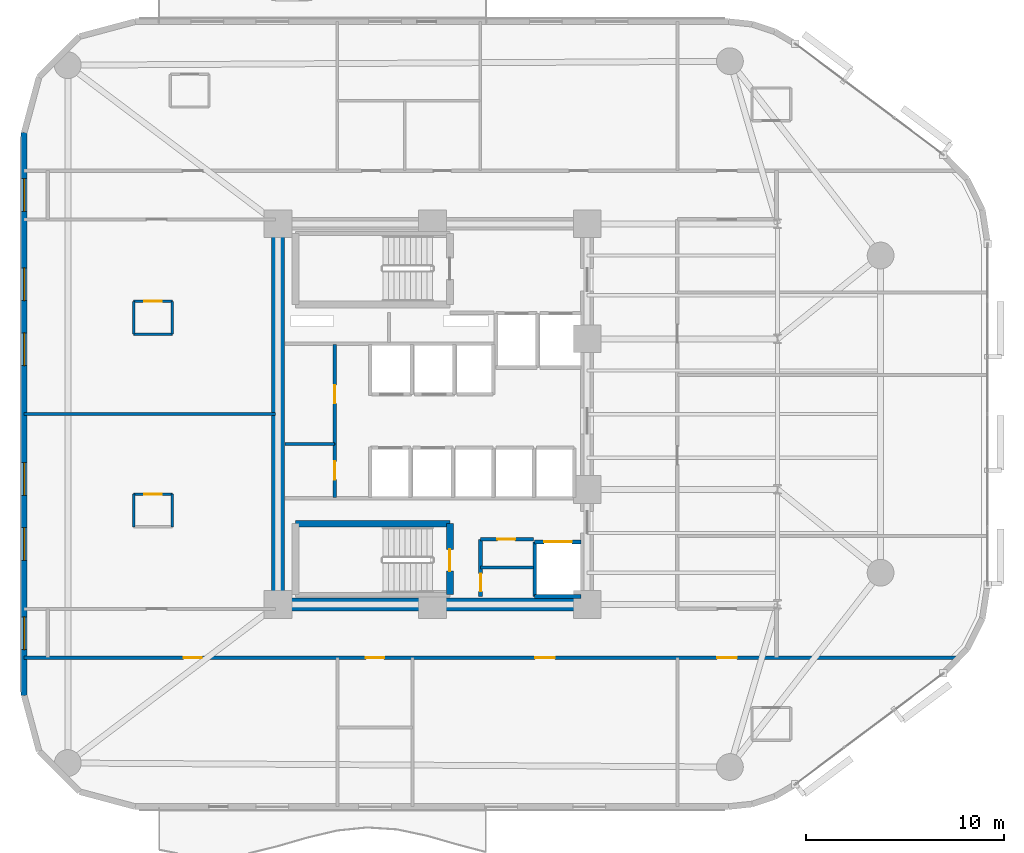
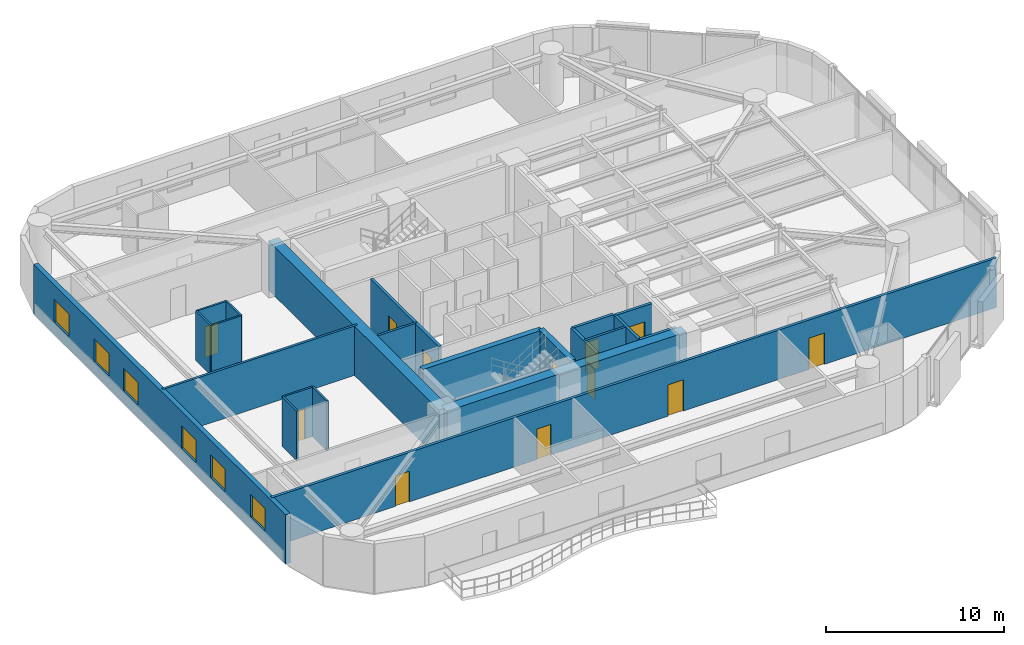
# One storey, part 10 of 15: 23 walls, 12 doors, 6 windows, 18 openings.
"""IFC4 building model written with IfcOpenShell, lengths in metres."""

from ifc_helpers import new_model, si_unit, direction, frame, frame_2d, origin, place, context, subcontext, project, spatial, rectangle, extrude, material, layer, layer_set, type_object, element, fill, save


model = new_model("IFC4")

# Units and contexts
model_context = context("Model", 3, precision=1e-05, world=origin(), true_north=direction((0.0, 1.0)))
body_context = subcontext(model_context, "Body", "Model", "MODEL_VIEW")
ifc_project = project(units=[si_unit("LENGTHUNIT", "METRE"), si_unit("AREAUNIT", "SQUARE_METRE"), si_unit("VOLUMEUNIT", "CUBIC_METRE"), si_unit("PLANEANGLEUNIT", "RADIAN"), si_unit("MASSUNIT", "GRAM", prefix="KILO")], contexts=[model_context])

# Site, building, storey
site_placement = place(None, origin())
site = spatial("IfcSite", under=ifc_project, at=site_placement, CompositionType="ELEMENT")
building_placement = place(site_placement, origin())
building = spatial("IfcBuilding", under=site, at=building_placement, Name="An Khanh Terracotta Commons", CompositionType="ELEMENT")
storey_placement = place(building_placement, frame((0.0, 0.0, 122.300048828125)))
storey = spatial("IfcBuildingStorey", under=building, at=storey_placement, Name="L32", CompositionType="ELEMENT", Elevation=122.300048828125)

# Walls
ifc_material_1 = material(Name="Concrete C60/75", Category="concrete")
ifc_layer_1 = layer(ifc_material_1, 0.64990234375, Name="Concrete C60/75")
ifc_layer_set_1 = layer_set([ifc_layer_1], Name="Concrete C60/75")
wall_type_1 = type_object("IfcWallType", Name="WALL-CORE-650", PredefinedType="SHEAR", material=ifc_layer_set_1)
wall_1_placement = place(storey_placement, frame((21.60009765625, 14.39990234375, 0.0), z_axis=(0.0, 0.0, 1.0), x_axis=(0.0, 1.0, 0.0)))
element("IfcWall", 1, at=wall_1_placement, inside=storey, type_object=wall_type_1, Name="L32 Core Wall CWALL-L32-W", PredefinedType="SHEAR", context=body_context, shape_type="SweptSolid", body=[
    extrude(rectangle(XDim=19.2001953125, YDim=0.64990234375, at=frame_2d((9.60009765625, 0.0))), origin(), (0.0, 0.0, 1.0), 3.39990234375),
])
wall_2_placement = place(storey_placement, frame((37.199951171875, 14.39990234375, 0.0), z_axis=(0.0, 0.0, 1.0), x_axis=(-1.0, 0.0, 0.0)))
element("IfcWall", 2, at=wall_2_placement, inside=storey, type_object=wall_type_1, Name="L32 Core Wall CWALL-L32-S", PredefinedType="SHEAR", context=body_context, shape_type="SweptSolid", body=[
    extrude(rectangle(XDim=15.599853515625, YDim=0.64990234375, at=frame_2d((7.7998046875, 0.0))), origin(), (0.0, 0.0, 1.0), 3.39990234375),
])

# Wall, opening, door
ifc_material_2 = material(Name="Fire-Rated Gypsum Board on Steel Stud", Category="steel")
ifc_layer_2 = layer(ifc_material_2, 0.179931640625, Name="Fire-Rated Gypsum Board on Steel Stud")
ifc_layer_set_2 = layer_set([ifc_layer_2], Name="Fire-Rated Gypsum Board on Steel Stud")
wall_type_2 = type_object("IfcWallType", Name="WALL-CORR-180", PredefinedType="PARTITIONING", material=ifc_layer_set_2)
wall_3_placement = place(storey_placement, frame((31.820068359375, 17.679931640625, 0.0), z_axis=(0.0, 0.0, 1.0), x_axis=(1.0, 0.0, 0.0)))
wall_3 = element("IfcWall", 3, at=wall_3_placement, inside=storey, type_object=wall_type_2, Name="L32 Core Wall SSVCW-L32-N", PredefinedType="PARTITIONING", context=body_context, shape_type="SweptSolid", body=[
    extrude(rectangle(XDim=2.659912109375, YDim=0.179931640625, at=frame_2d((1.330078125, 0.0))), origin(), (0.0, 0.0, 1.0), 3.39990234375),
])
opening_1_placement = place(wall_3_placement, frame((0.85009765625, 0.0, 0.0)))
opening_1 = element("IfcOpeningElement", 4, at=opening_1_placement, cuts=wall_3, Name="Opening D-SV", PredefinedType="OPENING", context=body_context, shape_type="SweptSolid", body=[
    extrude(rectangle(XDim=0.89990234375, YDim=2.050048828125, at=frame_2d((0.449951171875, 1.02490234375))), frame((0.0, 0.099853515625, 0.0), z_axis=(0.0, -1.0, 0.0), x_axis=(1.0, 0.0, 0.0)), (0.0, 0.0, 1.0), 0.199951171875),
])
ifc_material_3 = material(Name="Fire-Rated Powder-Coated Steel Door", Category="steel")
door_type_1 = type_object("IfcDoorType", Name="DOOR-SERV-900", OperationType="NOTDEFINED", PredefinedType="DOOR", material=ifc_material_3)
door_1_placement = place(opening_1_placement, origin())
door_1 = element("IfcDoor", 5, at=door_1_placement, inside=storey, type_object=door_type_1, Name="L32 Core Cleaner Store Door", OperationType="SINGLE_SWING_LEFT", OverallHeight=2.050048828125, OverallWidth=0.89990234375, PredefinedType="DOOR", context=body_context, shape_type="SweptSolid", body=[
    extrude(rectangle(XDim=0.89990234375, YDim=2.050048828125, at=frame_2d((0.449951171875, 1.02490234375))), frame((0.0, 0.02490234375, 0.0), z_axis=(0.0, -1.0, 0.0), x_axis=(1.0, 0.0, 0.0)), (0.0, 0.0, 1.0), 0.050048828125),
])
fill(opening_1, door_1)

wall_4_placement = place(storey_placement, frame((31.820068359375, 14.800048828125, 0.0), z_axis=(0.0, 0.0, 1.0), x_axis=(0.0, 1.0, 0.0)))
wall_4 = element("IfcWall", 6, at=wall_4_placement, inside=storey, type_object=wall_type_2, Name="L32 Core Wall SSVCW-L32-W", PredefinedType="PARTITIONING", context=body_context, shape_type="SweptSolid", body=[
    extrude(rectangle(XDim=2.8798828125, YDim=0.179931640625, at=frame_2d((1.43994140625, 0.0))), origin(), (0.0, 0.0, 1.0), 3.39990234375),
])
opening_2_placement = place(wall_4_placement, frame((0.260009765625, 0.0, 0.0)))
opening_2 = element("IfcOpeningElement", 7, at=opening_2_placement, cuts=wall_4, Name="Opening D-SV", PredefinedType="OPENING", context=body_context, shape_type="SweptSolid", body=[
    extrude(rectangle(XDim=0.89990234375, YDim=2.050048828125, at=frame_2d((0.449951171875, 1.02490234375))), frame((0.0, 0.099853515625, 0.0), z_axis=(0.0, -1.0, 0.0), x_axis=(1.0, 0.0, 0.0)), (0.0, 0.0, 1.0), 0.199951171875),
])
door_2_placement = place(opening_2_placement, origin())
door_2 = element("IfcDoor", 8, at=door_2_placement, inside=storey, type_object=door_type_1, Name="L32 Telecoms BMS Cupboard Door", OperationType="SINGLE_SWING_RIGHT", OverallHeight=2.050048828125, OverallWidth=0.89990234375, PredefinedType="DOOR", context=body_context, shape_type="SweptSolid", body=[
    extrude(rectangle(XDim=0.89990234375, YDim=2.050048828125, at=frame_2d((0.449951171875, 1.02490234375))), frame((0.0, 0.02490234375, 0.0), z_axis=(0.0, -1.0, 0.0), x_axis=(1.0, 0.0, 0.0)), (0.0, 0.0, 1.0), 0.050048828125),
])
fill(opening_2, door_2)

wall_5_placement = place(storey_placement, frame((34.550048828125, 17.550048828125, 0.0), z_axis=(0.0, 0.0, 1.0), x_axis=(1.0, 0.0, 0.0)))
wall_5 = element("IfcWall", 9, at=wall_5_placement, inside=storey, type_object=wall_type_2, Name="L32 Core Wall LSH-L32-SVL-01-N", PredefinedType="PARTITIONING", context=body_context, shape_type="SweptSolid", body=[
    extrude(rectangle(XDim=2.349853515625, YDim=0.179931640625, at=frame_2d((1.1748046875, 0.0))), origin(), (0.0, 0.0, 1.0), 3.39990234375),
])
opening_3_placement = place(wall_5_placement, frame((0.47509765625, 0.0, 0.0)))
opening_3 = element("IfcOpeningElement", 10, at=opening_3_placement, cuts=wall_5, Name="Opening LD-SVL-01-L32", PredefinedType="OPENING", context=body_context, shape_type="SweptSolid", body=[
    extrude(rectangle(XDim=1.39990234375, YDim=2.300048828125, at=frame_2d((0.699951171875, 1.14990234375))), frame((0.0, 0.099853515625, 0.0), z_axis=(0.0, -1.0, 0.0), x_axis=(1.0, 0.0, 0.0)), (0.0, 0.0, 1.0), 0.199951171875),
])
ifc_material_4 = material(Name="Heavy-Duty Stainless Steel Goods Landing Door", Category="steel")
door_type_2 = type_object("IfcDoorType", Name="DOOR-LD-SVL-1400", OperationType="NOTDEFINED", PredefinedType="DOOR", material=ifc_material_4)
door_3_placement = place(opening_3_placement, origin())
door_3 = element("IfcDoor", 11, at=door_3_placement, inside=storey, type_object=door_type_2, Name="L32 Lift SVL-01 Sliding Landing Door", OperationType="DOUBLE_DOOR_SLIDING", OverallHeight=2.300048828125, OverallWidth=1.39990234375, PredefinedType="DOOR", context=body_context, shape_type="SweptSolid", body=[
    extrude(rectangle(XDim=1.39990234375, YDim=2.300048828125, at=frame_2d((0.699951171875, 1.14990234375))), frame((0.0, 0.02490234375, 0.0), z_axis=(0.0, -1.0, 0.0), x_axis=(1.0, 0.0, 0.0)), (0.0, 0.0, 1.0), 0.050048828125),
])
fill(opening_3, door_3)

# Walls
wall_6_placement = place(storey_placement, frame((36.89990234375, 14.800048828125, 0.0), z_axis=(0.0, 0.0, 1.0), x_axis=(-1.0, 0.0, 0.0)))
element("IfcWall", 12, at=wall_6_placement, inside=storey, type_object=wall_type_2, Name="L32 Core Wall LSH-L32-SVL-01-S", PredefinedType="PARTITIONING", context=body_context, shape_type="SweptSolid", body=[
    extrude(rectangle(XDim=2.349853515625, YDim=0.179931640625, at=frame_2d((1.1748046875, 0.0))), origin(), (0.0, 0.0, 1.0), 3.39990234375),
])
wall_7_placement = place(storey_placement, frame((34.550048828125, 17.550048828125, 0.0), z_axis=(0.0, 0.0, 1.0), x_axis=(0.0, -1.0, 0.0)))
element("IfcWall", 13, at=wall_7_placement, inside=storey, type_object=wall_type_2, Name="L32 Core Wall LSH-L32-SVL-01-W", PredefinedType="PARTITIONING", context=body_context, shape_type="SweptSolid", body=[
    extrude(rectangle(XDim=2.75, YDim=0.179931640625, at=frame_2d((1.375, 0.0))), origin(), (0.0, 0.0, 1.0), 3.39990234375),
])

# Wall, opening, door
wall_8_placement = place(storey_placement, frame((24.4599609375, 22.5, 0.0), z_axis=(0.0, 0.0, 1.0), x_axis=(0.0, 1.0, 0.0)))
wall_8 = element("IfcWall", 14, at=wall_8_placement, inside=storey, type_object=wall_type_2, Name="L32 Core Wall RECW-L32-E1", PredefinedType="PARTITIONING", context=body_context, shape_type="SweptSolid", body=[
    extrude(rectangle(XDim=5.0, YDim=0.179931640625, at=frame_2d((2.5, 0.0))), origin(), (0.0, 0.0, 1.0), 3.39990234375),
])
opening_4_placement = place(wall_8_placement, frame((2.0400390625, 0.0, 0.0)))
opening_4 = element("IfcOpeningElement", 15, at=opening_4_placement, cuts=wall_8, Name="Opening D-RM", PredefinedType="OPENING", context=body_context, shape_type="SweptSolid", body=[
    extrude(rectangle(XDim=0.919921875, YDim=2.10009765625, at=frame_2d((0.4599609375, 1.050048828125))), frame((0.0, 0.099853515625, 0.0), z_axis=(0.0, -1.0, 0.0), x_axis=(1.0, 0.0, 0.0)), (0.0, 0.0, 1.0), 0.199951171875),
])
ifc_material_5 = material(Name="Engineered Hardwood Timber Leaf", Category="wood")
door_type_3 = type_object("IfcDoorType", Name="DOOR-INT-920", OperationType="NOTDEFINED", PredefinedType="DOOR", material=ifc_material_5)
door_4_placement = place(opening_4_placement, origin())
door_4 = element("IfcDoor", 16, at=door_4_placement, inside=storey, type_object=door_type_3, Name="L32 Resident Study Pod Door", OperationType="SINGLE_SWING_LEFT", OverallHeight=2.10009765625, OverallWidth=0.919921875, PredefinedType="DOOR", context=body_context, shape_type="SweptSolid", body=[
    extrude(rectangle(XDim=0.919921875, YDim=2.10009765625, at=frame_2d((0.4599609375, 1.050048828125))), frame((0.0, 0.02490234375, 0.0), z_axis=(0.0, -1.0, 0.0), x_axis=(1.0, 0.0, 0.0)), (0.0, 0.0, 1.0), 0.050048828125),
])
fill(opening_4, door_4)

wall_9_placement = place(storey_placement, frame((24.4599609375, 19.800048828125, 0.0), z_axis=(0.0, 0.0, 1.0), x_axis=(0.0, 1.0, 0.0)))
wall_9 = element("IfcWall", 17, at=wall_9_placement, inside=storey, type_object=wall_type_2, Name="L32 Core Wall RECW-L32-E2", PredefinedType="PARTITIONING", context=body_context, shape_type="SweptSolid", body=[
    extrude(rectangle(XDim=2.699951171875, YDim=0.179931640625, at=frame_2d((1.35009765625, 0.0))), origin(), (0.0, 0.0, 1.0), 3.39990234375),
])
opening_5_placement = place(wall_9_placement, frame((0.889892578125, 0.0, 0.0)))
opening_5 = element("IfcOpeningElement", 18, at=opening_5_placement, cuts=wall_9, Name="Opening D-RM", PredefinedType="OPENING", context=body_context, shape_type="SweptSolid", body=[
    extrude(rectangle(XDim=0.919921875, YDim=2.10009765625, at=frame_2d((0.4599609375, 1.050048828125))), frame((0.0, 0.099853515625, 0.0), z_axis=(0.0, -1.0, 0.0), x_axis=(1.0, 0.0, 0.0)), (0.0, 0.0, 1.0), 0.199951171875),
])
door_5_placement = place(opening_5_placement, origin())
door_5 = element("IfcDoor", 19, at=door_5_placement, inside=storey, type_object=door_type_3, Name="L32 Communal Laundry Room Door", OperationType="SINGLE_SWING_RIGHT", OverallHeight=2.10009765625, OverallWidth=0.919921875, PredefinedType="DOOR", context=body_context, shape_type="SweptSolid", body=[
    extrude(rectangle(XDim=0.919921875, YDim=2.10009765625, at=frame_2d((0.4599609375, 1.050048828125))), frame((0.0, 0.02490234375, 0.0), z_axis=(0.0, -1.0, 0.0), x_axis=(1.0, 0.0, 0.0)), (0.0, 0.0, 1.0), 0.050048828125),
])
fill(opening_5, door_5)

# Wall, openings, doors
wall_10_placement = place(storey_placement, frame((8.800048828125, 11.719970703125, 0.0), z_axis=(0.0, 0.0, 1.0), x_axis=(1.0, 0.0, 0.0)))
wall_10 = element("IfcWall", 20, at=wall_10_placement, inside=storey, type_object=wall_type_2, Name="L32 Interior Partition IW-L32-E002", PredefinedType="PARTITIONING", context=body_context, shape_type="SweptSolid", body=[
    extrude(rectangle(XDim=47.140869140625, YDim=0.179931640625, at=frame_2d((23.5703125, 0.0))), origin(), (0.0, 0.0, 1.0), 3.39990234375),
])
opening_6_placement = place(wall_10_placement, frame((17.239990234375, 0.0, 0.0)))
opening_6 = element("IfcOpeningElement", 21, at=opening_6_placement, cuts=wall_10, Name="Opening D-RM", PredefinedType="OPENING", context=body_context, shape_type="SweptSolid", body=[
    extrude(rectangle(XDim=0.919921875, YDim=2.10009765625, at=frame_2d((0.4599609375, 1.050048828125))), frame((0.0, 0.099853515625, 0.0), z_axis=(0.0, -1.0, 0.0), x_axis=(1.0, 0.0, 0.0)), (0.0, 0.0, 1.0), 0.199951171875),
])
opening_7_placement = place(wall_10_placement, frame((34.949951171875, 0.0, 0.0)))
opening_7 = element("IfcOpeningElement", 22, at=opening_7_placement, cuts=wall_10, Name="Opening D-UN", PredefinedType="OPENING", context=body_context, shape_type="SweptSolid", body=[
    extrude(rectangle(XDim=1.0, YDim=2.14990234375, at=frame_2d((0.5, 1.074951171875))), frame((0.0, 0.099853515625, 0.0), z_axis=(0.0, -1.0, 0.0), x_axis=(1.0, 0.0, 0.0)), (0.0, 0.0, 1.0), 0.199951171875),
])
opening_8_placement = place(wall_10_placement, frame((8.0400390625, 0.0, 0.0)))
opening_8 = element("IfcOpeningElement", 23, at=opening_8_placement, cuts=wall_10, Name="Opening D-RM", PredefinedType="OPENING", context=body_context, shape_type="SweptSolid", body=[
    extrude(rectangle(XDim=0.919921875, YDim=2.10009765625, at=frame_2d((0.4599609375, 1.050048828125))), frame((0.0, 0.099853515625, 0.0), z_axis=(0.0, -1.0, 0.0), x_axis=(1.0, 0.0, 0.0)), (0.0, 0.0, 1.0), 0.199951171875),
])
opening_9_placement = place(wall_10_placement, frame((25.77490234375, 0.0, 0.0)))
opening_9 = element("IfcOpeningElement", 24, at=opening_9_placement, cuts=wall_10, Name="Opening D-UN", PredefinedType="OPENING", context=body_context, shape_type="SweptSolid", body=[
    extrude(rectangle(XDim=1.0, YDim=2.14990234375, at=frame_2d((0.5, 1.074951171875))), frame((0.0, 0.099853515625, 0.0), z_axis=(0.0, -1.0, 0.0), x_axis=(1.0, 0.0, 0.0)), (0.0, 0.0, 1.0), 0.199951171875),
])
door_6_placement = place(opening_6_placement, origin())
door_6 = element("IfcDoor", 25, at=door_6_placement, inside=storey, type_object=door_type_3, Name="L32 HKP Housekeeping Linen Store Door", OperationType="SINGLE_SWING_RIGHT", OverallHeight=2.10009765625, OverallWidth=0.919921875, PredefinedType="DOOR", context=body_context, shape_type="SweptSolid", body=[
    extrude(rectangle(XDim=0.919921875, YDim=2.10009765625, at=frame_2d((0.4599609375, 1.050048828125))), frame((0.0, 0.02490234375, 0.0), z_axis=(0.0, -1.0, 0.0), x_axis=(1.0, 0.0, 0.0)), (0.0, 0.0, 1.0), 0.050048828125),
])
fill(opening_6, door_6)
door_7_placement = place(opening_8_placement, origin())
door_7 = element("IfcDoor", 26, at=door_7_placement, inside=storey, type_object=door_type_3, Name="L32 SW1 Music Practice Room Door", OperationType="SINGLE_SWING_LEFT", OverallHeight=2.10009765625, OverallWidth=0.919921875, PredefinedType="DOOR", context=body_context, shape_type="SweptSolid", body=[
    extrude(rectangle(XDim=0.919921875, YDim=2.10009765625, at=frame_2d((0.4599609375, 1.050048828125))), frame((0.0, 0.02490234375, 0.0), z_axis=(0.0, -1.0, 0.0), x_axis=(1.0, 0.0, 0.0)), (0.0, 0.0, 1.0), 0.050048828125),
])
fill(opening_8, door_7)
ifc_material_6 = material(Name="Solid-Core Hardwood Acoustic Fire Door", Category="wood")
door_type_4 = type_object("IfcDoorType", Name="DOOR-UNIT-1000", OperationType="NOTDEFINED", PredefinedType="DOOR", material=ifc_material_6)
door_8_placement = place(opening_7_placement, origin())
door_8 = element("IfcDoor", 27, at=door_8_placement, inside=storey, type_object=door_type_4, Name="L32 FANS Kitchenette and Studio Apartment Door", OperationType="SINGLE_SWING_RIGHT", OverallHeight=2.14990234375, OverallWidth=1.0, PredefinedType="DOOR", context=body_context, shape_type="SweptSolid", body=[
    extrude(rectangle(XDim=1.0, YDim=2.14990234375, at=frame_2d((0.5, 1.074951171875))), frame((0.0, 0.02490234375, 0.0), z_axis=(0.0, -1.0, 0.0), x_axis=(1.0, 0.0, 0.0)), (0.0, 0.0, 1.0), 0.050048828125),
])
fill(opening_7, door_8)
door_9_placement = place(opening_9_placement, origin())
door_9 = element("IfcDoor", 28, at=door_9_placement, inside=storey, type_object=door_type_4, Name="L32 SWE Yoga Studio Door", OperationType="SINGLE_SWING_RIGHT", OverallHeight=2.14990234375, OverallWidth=1.0, PredefinedType="DOOR", context=body_context, shape_type="SweptSolid", body=[
    extrude(rectangle(XDim=1.0, YDim=2.14990234375, at=frame_2d((0.5, 1.074951171875))), frame((0.0, 0.02490234375, 0.0), z_axis=(0.0, -1.0, 0.0), x_axis=(1.0, 0.0, 0.0)), (0.0, 0.0, 1.0), 0.050048828125),
])
fill(opening_9, door_9)

# Wall, openings, windows
ifc_material_7 = material(Name="Precast concrete C40/50", Category="concrete")
ifc_layer_3 = layer(ifc_material_7, 0.300048828125, Name="Precast concrete C40/50")
ifc_layer_set_3 = layer_set([ifc_layer_3], Name="Precast concrete C40/50")
wall_type_3 = type_object("IfcWallType", Name="WALL-EXT-300", PredefinedType="SOLIDWALL", material=ifc_layer_set_3)
wall_11_placement = place(storey_placement, frame((8.800048828125, 38.199951171875, 0.0), z_axis=(0.0, 0.0, 1.0), x_axis=(0.0, -1.0, 0.0)))
wall_11 = element("IfcWall", 29, at=wall_11_placement, inside=storey, type_object=wall_type_3, Name="L32 Insulated Terracotta Exterior Wall 24", PredefinedType="SOLIDWALL", context=body_context, shape_type="SweptSolid", body=[
    extrude(rectangle(XDim=28.39990234375, YDim=0.300048828125, at=frame_2d((14.199951171875, 0.0))), origin(), (0.0, 0.0, 1.0), 3.39990234375),
])
opening_10_placement = place(wall_11_placement, frame((2.324951171875, 0.0, 0.85009765625)))
opening_10 = element("IfcOpeningElement", 30, at=opening_10_placement, cuts=wall_11, Name="Opening W-02", PredefinedType="OPENING", context=body_context, shape_type="SweptSolid", body=[
    extrude(rectangle(XDim=1.64990234375, YDim=1.550048828125, at=frame_2d((0.824951171875, 0.77490234375))), frame((0.0, 0.159912109375, 0.0), z_axis=(0.0, -1.0, 0.0), x_axis=(1.0, 0.0, 0.0)), (0.0, 0.0, 1.0), 0.320068359375),
])
opening_11_placement = place(wall_11_placement, frame((6.827880859375, 0.0, 0.85009765625)))
opening_11 = element("IfcOpeningElement", 31, at=opening_11_placement, cuts=wall_11, Name="Opening W-02", PredefinedType="OPENING", context=body_context, shape_type="SweptSolid", body=[
    extrude(rectangle(XDim=1.64990234375, YDim=1.550048828125, at=frame_2d((0.824951171875, 0.77490234375))), frame((0.0, 0.159912109375, 0.0), z_axis=(0.0, -1.0, 0.0), x_axis=(1.0, 0.0, 0.0)), (0.0, 0.0, 1.0), 0.320068359375),
])
opening_12_placement = place(wall_11_placement, frame((10.10205078125, 0.0, 0.85009765625)))
opening_12 = element("IfcOpeningElement", 32, at=opening_12_placement, cuts=wall_11, Name="Opening W-02", PredefinedType="OPENING", context=body_context, shape_type="SweptSolid", body=[
    extrude(rectangle(XDim=1.64990234375, YDim=1.550048828125, at=frame_2d((0.824951171875, 0.77490234375))), frame((0.0, 0.159912109375, 0.0), z_axis=(0.0, -1.0, 0.0), x_axis=(1.0, 0.0, 0.0)), (0.0, 0.0, 1.0), 0.320068359375),
])
opening_13_placement = place(wall_11_placement, frame((16.64794921875, 0.0, 0.85009765625)))
opening_13 = element("IfcOpeningElement", 33, at=opening_13_placement, cuts=wall_11, Name="Opening W-02", PredefinedType="OPENING", context=body_context, shape_type="SweptSolid", body=[
    extrude(rectangle(XDim=1.64990234375, YDim=1.550048828125, at=frame_2d((0.824951171875, 0.77490234375))), frame((0.0, 0.159912109375, 0.0), z_axis=(0.0, -1.0, 0.0), x_axis=(1.0, 0.0, 0.0)), (0.0, 0.0, 1.0), 0.320068359375),
])
opening_14_placement = place(wall_11_placement, frame((19.922119140625, 0.0, 0.85009765625)))
opening_14 = element("IfcOpeningElement", 34, at=opening_14_placement, cuts=wall_11, Name="Opening W-02", PredefinedType="OPENING", context=body_context, shape_type="SweptSolid", body=[
    extrude(rectangle(XDim=1.64990234375, YDim=1.550048828125, at=frame_2d((0.824951171875, 0.77490234375))), frame((0.0, 0.159912109375, 0.0), z_axis=(0.0, -1.0, 0.0), x_axis=(1.0, 0.0, 0.0)), (0.0, 0.0, 1.0), 0.320068359375),
])
opening_15_placement = place(wall_11_placement, frame((24.425048828125, 0.0, 0.85009765625)))
opening_15 = element("IfcOpeningElement", 35, at=opening_15_placement, cuts=wall_11, Name="Opening W-02", PredefinedType="OPENING", context=body_context, shape_type="SweptSolid", body=[
    extrude(rectangle(XDim=1.64990234375, YDim=1.550048828125, at=frame_2d((0.824951171875, 0.77490234375))), frame((0.0, 0.159912109375, 0.0), z_axis=(0.0, -1.0, 0.0), x_axis=(1.0, 0.0, 0.0)), (0.0, 0.0, 1.0), 0.320068359375),
])
ifc_material_8 = material(Name="Thermally Broken Aluminium and Low-E Glass", Category="aluminium")
window_type = type_object("IfcWindowType", Name="WIN-Z2-1650x1550", PartitioningType="DOUBLE_PANEL_VERTICAL", PredefinedType="WINDOW", material=ifc_material_8)
window_1_placement = place(opening_10_placement, origin())
window_1 = element("IfcWindow", 36, at=window_1_placement, inside=storey, type_object=window_type, Name="L32 Operable Casement Window 24.1", OverallHeight=1.550048828125, OverallWidth=1.64990234375, PartitioningType="DOUBLE_PANEL_VERTICAL", PredefinedType="WINDOW", context=body_context, shape_type="SweptSolid", body=[
    extrude(rectangle(XDim=1.64990234375, YDim=1.550048828125, at=frame_2d((0.824951171875, 0.77490234375))), frame((0.0, 0.030029296875, 0.0), z_axis=(0.0, -1.0, 0.0), x_axis=(1.0, 0.0, 0.0)), (0.0, 0.0, 1.0), 0.06005859375),
])
fill(opening_10, window_1)
window_2_placement = place(opening_11_placement, origin())
window_2 = element("IfcWindow", 37, at=window_2_placement, inside=storey, type_object=window_type, Name="L32 Operable Casement Window 24.2", OverallHeight=1.550048828125, OverallWidth=1.64990234375, PartitioningType="DOUBLE_PANEL_VERTICAL", PredefinedType="WINDOW", context=body_context, shape_type="SweptSolid", body=[
    extrude(rectangle(XDim=1.64990234375, YDim=1.550048828125, at=frame_2d((0.824951171875, 0.77490234375))), frame((0.0, 0.030029296875, 0.0), z_axis=(0.0, -1.0, 0.0), x_axis=(1.0, 0.0, 0.0)), (0.0, 0.0, 1.0), 0.06005859375),
])
fill(opening_11, window_2)
window_3_placement = place(opening_12_placement, origin())
window_3 = element("IfcWindow", 38, at=window_3_placement, inside=storey, type_object=window_type, Name="L32 Operable Casement Window 24.3", OverallHeight=1.550048828125, OverallWidth=1.64990234375, PartitioningType="DOUBLE_PANEL_VERTICAL", PredefinedType="WINDOW", context=body_context, shape_type="SweptSolid", body=[
    extrude(rectangle(XDim=1.64990234375, YDim=1.550048828125, at=frame_2d((0.824951171875, 0.77490234375))), frame((0.0, 0.030029296875, 0.0), z_axis=(0.0, -1.0, 0.0), x_axis=(1.0, 0.0, 0.0)), (0.0, 0.0, 1.0), 0.06005859375),
])
fill(opening_12, window_3)
window_4_placement = place(opening_13_placement, origin())
window_4 = element("IfcWindow", 39, at=window_4_placement, inside=storey, type_object=window_type, Name="L32 Operable Casement Window 24.4", OverallHeight=1.550048828125, OverallWidth=1.64990234375, PartitioningType="DOUBLE_PANEL_VERTICAL", PredefinedType="WINDOW", context=body_context, shape_type="SweptSolid", body=[
    extrude(rectangle(XDim=1.64990234375, YDim=1.550048828125, at=frame_2d((0.824951171875, 0.77490234375))), frame((0.0, 0.030029296875, 0.0), z_axis=(0.0, -1.0, 0.0), x_axis=(1.0, 0.0, 0.0)), (0.0, 0.0, 1.0), 0.06005859375),
])
fill(opening_13, window_4)
window_5_placement = place(opening_14_placement, origin())
window_5 = element("IfcWindow", 40, at=window_5_placement, inside=storey, type_object=window_type, Name="L32 Operable Casement Window 24.5", OverallHeight=1.550048828125, OverallWidth=1.64990234375, PartitioningType="DOUBLE_PANEL_VERTICAL", PredefinedType="WINDOW", context=body_context, shape_type="SweptSolid", body=[
    extrude(rectangle(XDim=1.64990234375, YDim=1.550048828125, at=frame_2d((0.824951171875, 0.77490234375))), frame((0.0, 0.030029296875, 0.0), z_axis=(0.0, -1.0, 0.0), x_axis=(1.0, 0.0, 0.0)), (0.0, 0.0, 1.0), 0.06005859375),
])
fill(opening_14, window_5)
window_6_placement = place(opening_15_placement, origin())
window_6 = element("IfcWindow", 41, at=window_6_placement, inside=storey, type_object=window_type, Name="L32 Operable Casement Window 24.6", OverallHeight=1.550048828125, OverallWidth=1.64990234375, PartitioningType="DOUBLE_PANEL_VERTICAL", PredefinedType="WINDOW", context=body_context, shape_type="SweptSolid", body=[
    extrude(rectangle(XDim=1.64990234375, YDim=1.550048828125, at=frame_2d((0.824951171875, 0.77490234375))), frame((0.0, 0.030029296875, 0.0), z_axis=(0.0, -1.0, 0.0), x_axis=(1.0, 0.0, 0.0)), (0.0, 0.0, 1.0), 0.06005859375),
])
fill(opening_15, window_6)

# Walls
ifc_material_9 = material(Name="Acoustic Gypsum Board Partition")
ifc_layer_4 = layer(ifc_material_9, 0.14990234375, Name="Acoustic Gypsum Board Partition")
ifc_layer_set_4 = layer_set([ifc_layer_4], Name="Acoustic Gypsum Board Partition")
wall_type_4 = type_object("IfcWallType", Name="WALL-PART-150", PredefinedType="PARTITIONING", material=ifc_layer_set_4)
wall_12_placement = place(storey_placement, frame((31.820068359375, 16.260009765625, 0.0), z_axis=(0.0, 0.0, 1.0), x_axis=(1.0, 0.0, 0.0)))
element("IfcWall", 42, at=wall_12_placement, inside=storey, type_object=wall_type_4, Name="L32 Core Wall SSVCW-L32-M", PredefinedType="PARTITIONING", context=body_context, shape_type="SweptSolid", body=[
    extrude(rectangle(XDim=2.659912109375, YDim=0.14990234375, at=frame_2d((1.330078125, 0.0))), origin(), (0.0, 0.0, 1.0), 3.39990234375),
])
wall_13_placement = place(storey_placement, frame((21.949951171875, 22.5, 0.0), z_axis=(0.0, 0.0, 1.0), x_axis=(1.0, 0.0, 0.0)))
element("IfcWall", 43, at=wall_13_placement, inside=storey, type_object=wall_type_4, Name="L32 Core Wall RECW-L32-M", PredefinedType="PARTITIONING", context=body_context, shape_type="SweptSolid", body=[
    extrude(rectangle(XDim=2.510009765625, YDim=0.14990234375, at=frame_2d((1.2548828125, 0.0))), origin(), (0.0, 0.0, 1.0), 3.39990234375),
])
wall_14_placement = place(storey_placement, frame((8.800048828125, 24.0, 0.0), z_axis=(0.0, 0.0, 1.0), x_axis=(1.0, 0.0, 0.0)))
element("IfcWall", 44, at=wall_14_placement, inside=storey, type_object=wall_type_4, Name="L32 Interior Partition IW-L32-E006", PredefinedType="PARTITIONING", context=body_context, shape_type="SweptSolid", body=[
    extrude(rectangle(XDim=12.679931640625, YDim=0.14990234375, at=frame_2d((6.33984375, 0.0))), origin(), (0.0, 0.0, 1.0), 3.39990234375),
])
ifc_material_10 = material(Name="Concrete C50/60", Category="concrete")
ifc_layer_5 = layer(ifc_material_10, 0.35009765625, Name="Concrete C50/60")
ifc_layer_set_5 = layer_set([ifc_layer_5], Name="Concrete C50/60")
wall_type_5 = type_object("IfcWallType", Name="WALL-SHAFT-350", PredefinedType="SOLIDWALL", material=ifc_layer_set_5)
wall_15_placement = place(storey_placement, frame((22.47998046875, 18.469970703125, 0.0), z_axis=(0.0, 0.0, 1.0), x_axis=(1.0, 0.0, 0.0)))
element("IfcWall", 45, at=wall_15_placement, inside=storey, type_object=wall_type_5, Name="L32 Core Wall STW-L32-S-N", PredefinedType="SOLIDWALL", context=body_context, shape_type="SweptSolid", body=[
    extrude(rectangle(XDim=7.7900390625, YDim=0.35009765625, at=frame_2d((3.89501953125, 0.0))), origin(), (0.0, 0.0, 1.0), 3.39990234375),
])

# Wall, opening, door
wall_16_placement = place(storey_placement, frame((30.27001953125, 14.889892578125, 0.0), z_axis=(0.0, 0.0, 1.0), x_axis=(0.0, 1.0, 0.0)))
wall_16 = element("IfcWall", 46, at=wall_16_placement, inside=storey, type_object=wall_type_5, Name="L32 Core Wall STW-L32-S-E", PredefinedType="SOLIDWALL", context=body_context, shape_type="SweptSolid", body=[
    extrude(rectangle(XDim=3.580078125, YDim=0.35009765625, at=frame_2d((1.7900390625, 0.0))), origin(), (0.0, 0.0, 1.0), 3.39990234375),
])
opening_16_placement = place(wall_16_placement, frame((1.18994140625, 0.0, 0.0)))
opening_16 = element("IfcOpeningElement", 47, at=opening_16_placement, cuts=wall_16, Name="Opening D-ST", PredefinedType="OPENING", context=body_context, shape_type="SweptSolid", body=[
    extrude(rectangle(XDim=1.10009765625, YDim=2.14990234375, at=frame_2d((0.550048828125, 1.074951171875))), frame((0.0, 0.18505859375, 0.0), z_axis=(0.0, -1.0, 0.0), x_axis=(1.0, 0.0, 0.0)), (0.0, 0.0, 1.0), 0.3701171875),
])
ifc_material_11 = material(Name="Fire-Rated Steel Leaf and Frame", Category="steel")
door_type_5 = type_object("IfcDoorType", Name="DOOR-STAIR-1100", OperationType="NOTDEFINED", PredefinedType="DOOR", material=ifc_material_11)
door_10_placement = place(opening_16_placement, origin())
door_10 = element("IfcDoor", 48, at=door_10_placement, inside=storey, type_object=door_type_5, Name="L32 Stair ST-02 Fire Door", OperationType="SINGLE_SWING_RIGHT", OverallHeight=2.14990234375, OverallWidth=1.10009765625, PredefinedType="DOOR", context=body_context, shape_type="SweptSolid", body=[
    extrude(rectangle(XDim=1.10009765625, YDim=2.14990234375, at=frame_2d((0.550048828125, 1.074951171875))), frame((0.0, 0.02490234375, 0.0), z_axis=(0.0, -1.0, 0.0), x_axis=(1.0, 0.0, 0.0)), (0.0, 0.0, 1.0), 0.050048828125),
])
fill(opening_16, door_10)

ifc_material_12 = material(Name="Moisture-Resistant Cement Board Partition")
ifc_layer_6 = layer(ifc_material_12, 0.1201171875, Name="Moisture-Resistant Cement Board Partition")
ifc_layer_set_6 = layer_set([ifc_layer_6], Name="Moisture-Resistant Cement Board Partition")
wall_type_6 = type_object("IfcWallType", Name="WALL-WET-120", PredefinedType="PARTITIONING", material=ifc_layer_set_6)
wall_17_placement = place(storey_placement, frame((14.324951171875, 19.965087890625, 0.0), z_axis=(0.0, 0.0, 1.0), x_axis=(1.0, 0.0, 0.0)))
wall_17 = element("IfcWall", 49, at=wall_17_placement, inside=storey, type_object=wall_type_6, Name="L32 Interior Partition IW-L32-WW1-BN", PredefinedType="PARTITIONING", context=body_context, shape_type="SweptSolid", body=[
    extrude(rectangle(XDim=1.949951171875, YDim=0.1201171875, at=frame_2d((0.97509765625, 0.0))), origin(), (0.0, 0.0, 1.0), 3.39990234375),
])
opening_17_placement = place(wall_17_placement, frame((0.544921875, 0.0, 0.0)))
opening_17 = element("IfcOpeningElement", 50, at=opening_17_placement, cuts=wall_17, Name="Opening D-ENS", PredefinedType="OPENING", context=body_context, shape_type="SweptSolid", body=[
    extrude(rectangle(XDim=0.860107421875, YDim=2.10009765625, at=frame_2d((0.43017578125, 1.050048828125))), frame((0.0, 0.070068359375, 0.0), z_axis=(0.0, -1.0, 0.0), x_axis=(1.0, 0.0, 0.0)), (0.0, 0.0, 1.0), 0.14013671875),
])
ifc_material_13 = material(Name="Moisture-Resistant Hardwood Timber Leaf", Category="wood")
door_type_6 = type_object("IfcDoorType", Name="DOOR-BATH-860", OperationType="NOTDEFINED", PredefinedType="DOOR", material=ifc_material_13)
door_11_placement = place(opening_17_placement, origin())
door_11 = element("IfcDoor", 51, at=door_11_placement, inside=storey, type_object=door_type_6, Name="L32 Studio WW1 En-suite Door", OperationType="SINGLE_SWING_RIGHT", OverallHeight=2.10009765625, OverallWidth=0.860107421875, PredefinedType="DOOR", context=body_context, shape_type="SweptSolid", body=[
    extrude(rectangle(XDim=0.860107421875, YDim=2.10009765625, at=frame_2d((0.43017578125, 1.050048828125))), frame((0.0, 0.02490234375, 0.0), z_axis=(0.0, -1.0, 0.0), x_axis=(1.0, 0.0, 0.0)), (0.0, 0.0, 1.0), 0.050048828125),
])
fill(opening_17, door_11)

# Walls
for number, where, z_axis, x_axis, name in (
    (52, (14.324951171875, 19.965087890625, 0.0), (0.0, 0.0, 1.0), (0.0, -1.0, 0.0), "L32 Interior Partition IW-L32-WW1-BW"),
    (53, (16.27490234375, 18.31494140625, 0.0), (0.0, 0.0, 1.0), (0.0, 1.0, 0.0), "L32 Interior Partition IW-L32-WW1-BE"),
):
    element("IfcWall", number, at=place(storey_placement, frame(where, z_axis=z_axis, x_axis=x_axis)), inside=storey, type_object=wall_type_6, Name=name, PredefinedType="PARTITIONING", context=body_context, shape_type="SweptSolid", body=[
        extrude(rectangle(XDim=1.650146484375, YDim=0.1201171875, at=frame_2d((0.8251953125, 0.0))), origin(), (0.0, 0.0, 1.0), 3.39990234375),
    ])

# Wall, opening, door
wall_18_placement = place(storey_placement, frame((14.324951171875, 29.68505859375, 0.0), z_axis=(0.0, 0.0, 1.0), x_axis=(1.0, 0.0, 0.0)))
wall_18 = element("IfcWall", 54, at=wall_18_placement, inside=storey, type_object=wall_type_6, Name="L32 Interior Partition IW-L32-WW2-BN", PredefinedType="PARTITIONING", context=body_context, shape_type="SweptSolid", body=[
    extrude(rectangle(XDim=1.949951171875, YDim=0.1201171875, at=frame_2d((0.97509765625, 0.0))), origin(), (0.0, 0.0, 1.0), 3.39990234375),
])
opening_18_placement = place(wall_18_placement, frame((0.544921875, 0.0, 0.0)))
opening_18 = element("IfcOpeningElement", 55, at=opening_18_placement, cuts=wall_18, Name="Opening D-ENS", PredefinedType="OPENING", context=body_context, shape_type="SweptSolid", body=[
    extrude(rectangle(XDim=0.860107421875, YDim=2.10009765625, at=frame_2d((0.43017578125, 1.050048828125))), frame((0.0, 0.070068359375, 0.0), z_axis=(0.0, -1.0, 0.0), x_axis=(1.0, 0.0, 0.0)), (0.0, 0.0, 1.0), 0.14013671875),
])
door_12_placement = place(opening_18_placement, origin())
door_12 = element("IfcDoor", 56, at=door_12_placement, inside=storey, type_object=door_type_6, Name="L32 Studio WW2 En-suite Door", OperationType="SINGLE_SWING_LEFT", OverallHeight=2.10009765625, OverallWidth=0.860107421875, PredefinedType="DOOR", context=body_context, shape_type="SweptSolid", body=[
    extrude(rectangle(XDim=0.860107421875, YDim=2.10009765625, at=frame_2d((0.43017578125, 1.050048828125))), frame((0.0, 0.02490234375, 0.0), z_axis=(0.0, -1.0, 0.0), x_axis=(1.0, 0.0, 0.0)), (0.0, 0.0, 1.0), 0.050048828125),
])
fill(opening_18, door_12)

# Walls
wall_19_placement = place(storey_placement, frame((16.27490234375, 28.034912109375, 0.0), z_axis=(0.0, 0.0, 1.0), x_axis=(-1.0, 0.0, 0.0)))
element("IfcWall", 57, at=wall_19_placement, inside=storey, type_object=wall_type_6, Name="L32 Interior Partition IW-L32-WW2-BS", PredefinedType="PARTITIONING", context=body_context, shape_type="SweptSolid", body=[
    extrude(rectangle(XDim=1.949951171875, YDim=0.1201171875, at=frame_2d((0.97509765625, 0.0))), origin(), (0.0, 0.0, 1.0), 3.39990234375),
])
for number, where, z_axis, x_axis, name in (
    (58, (14.324951171875, 29.68505859375, 0.0), (0.0, 0.0, 1.0), (0.0, -1.0, 0.0), "L32 Interior Partition IW-L32-WW2-BW"),
    (59, (16.27490234375, 28.034912109375, 0.0), (0.0, 0.0, 1.0), (0.0, 1.0, 0.0), "L32 Interior Partition IW-L32-WW2-BE"),
):
    element("IfcWall", number, at=place(storey_placement, frame(where, z_axis=z_axis, x_axis=x_axis)), inside=storey, type_object=wall_type_6, Name=name, PredefinedType="PARTITIONING", context=body_context, shape_type="SweptSolid", body=[
        extrude(rectangle(XDim=1.650146484375, YDim=0.1201171875, at=frame_2d((0.8251953125, 0.0))), origin(), (0.0, 0.0, 1.0), 3.39990234375),
    ])

save(model, "model.ifc")
